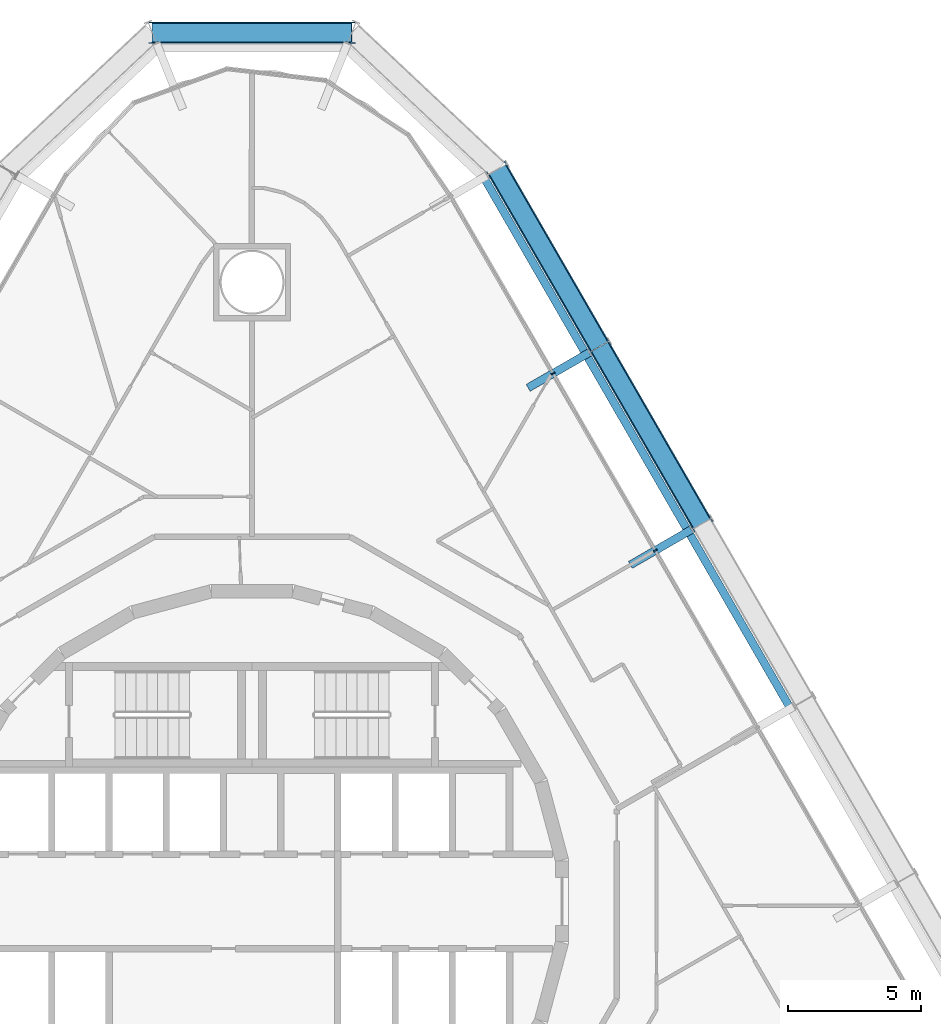
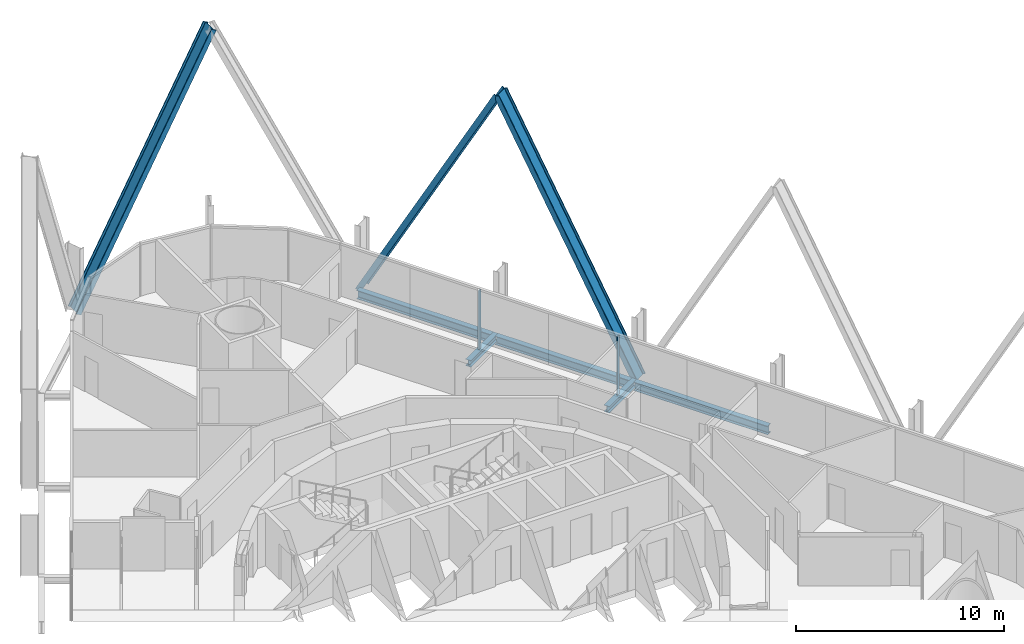
# One storey, part 11 of 21: 5 beams, 5 members, 1 element without a shape of its own.
"""IFC4 building model written with IfcOpenShell, lengths in metres."""

from ifc_helpers import new_model, si_unit, direction, frame, origin, origin_2d, place, context, subcontext, project, spatial, rectangle, i_section, extrude, material, layer, layer_set, material_profile, profile_set, type_object, element, aggregate, save


model = new_model("IFC4")

# Units and contexts
model_context = context("Model", 3, precision=1e-05, world=origin(), true_north=direction((0.0, 1.0)))
body_context = subcontext(model_context, "Body", "Model", "MODEL_VIEW")
ifc_project = project(units=[si_unit("LENGTHUNIT", "METRE"), si_unit("AREAUNIT", "SQUARE_METRE"), si_unit("VOLUMEUNIT", "CUBIC_METRE"), si_unit("PLANEANGLEUNIT", "RADIAN"), si_unit("MASSUNIT", "GRAM", prefix="KILO")], contexts=[model_context])

# Site, building, storey
site_placement = place(None, origin())
site = spatial("IfcSite", under=ifc_project, at=site_placement, CompositionType="ELEMENT")
building_placement = place(site_placement, origin())
building = spatial("IfcBuilding", under=site, at=building_placement, Name="Spindle Arch Residences", CompositionType="ELEMENT")
storey_placement = place(building_placement, frame((0.0, 0.0, 38.39990234375)))
storey = spatial("IfcBuildingStorey", under=building, at=storey_placement, Name="L07", CompositionType="ELEMENT", Elevation=38.39990234375)

# Curtain wall, members
ifc_material_1 = material(Name="Aluminium bronze unitised frame with tinted glass", Category="aluminium")
ifc_layer = layer(ifc_material_1, 0.159912109375)
ifc_layer_set = layer_set([ifc_layer], Name="CW-C typical residential unitised wall")
curtain_wall_type = type_object("IfcCurtainWallType", Name="CW-C typical residential unitised wall", PredefinedType="NOTDEFINED", material=ifc_layer_set)
curtain_wall_placement = place(storey_placement, origin())
curtain_wall = element("IfcCurtainWall", 1, at=curtain_wall_placement, inside=storey, type_object=curtain_wall_type, Name="CW-C L07 run 2", PredefinedType="NOTDEFINED")
ifc_material_2 = material(Name="Aluminium bronze anodised mullion", Category="aluminium")
ifc_material_profile_1 = material_profile(ifc_material_2, rectangle(XDim=0.159912109375, YDim=0.06005859375, at=origin_2d()), Name="MU 60x160")
ifc_profile_set_1 = profile_set([ifc_material_profile_1], Name="Aluminium bronze anodised mullion")
member_type_1 = type_object("IfcMemberType", Name="Bronze mullion 60x160", PredefinedType="MULLION", material=ifc_profile_set_1)
member_1_placement = place(storey_placement, frame((15.149169921875, 13.180419921875, -0.449951171875), z_axis=(0.0, 0.0, 1.0), x_axis=(-0.866025403784, -0.5, 0.0)))
member_1 = element("IfcMember", 2, at=member_1_placement, type_object=member_type_1, Name="CW-C mullion 08", PredefinedType="MULLION", context=body_context, shape_type="SweptSolid", body=[
    extrude(rectangle(XDim=0.159912109375, YDim=0.06005859375, at=origin_2d()), origin(), (0.0, 0.0, 1.0), 3.449951171875),
])
member_2_placement = place(storey_placement, frame((11.309326171875, 19.83154296875, -0.449951171875), z_axis=(0.0, 0.0, 1.0), x_axis=(-0.866025403784, -0.5, 0.0)))
member_2 = element("IfcMember", 3, at=member_2_placement, type_object=member_type_1, Name="CW-C mullion 09", PredefinedType="MULLION", context=body_context, shape_type="SweptSolid", body=[
    extrude(rectangle(XDim=0.159912109375, YDim=0.06005859375, at=origin_2d()), origin(), (0.0, 0.0, 1.0), 3.449951171875),
])
aggregate(curtain_wall, [member_1, member_2])

# Members
ifc_material_3 = material(Name="Steel S460ML, intumescent coating R 240", Category="steel")
ifc_material_profile_2 = material_profile(ifc_material_3, i_section(OverallWidth=0.302978515625, OverallDepth=0.81396484375, WebThickness=0.02099609375, FlangeThickness=0.0400390625, FilletRadius=0.030029296875, at=origin_2d()), Name="HEM 800")
ifc_profile_set_2 = profile_set([ifc_material_profile_2], Name="Steel S460ML, intumescent coating R 240")
member_type_2 = type_object("IfcMemberType", Name="Diagrid diagonal HEM 800", PredefinedType="BRACE", material=ifc_profile_set_2)
for number, where, z_axis, x_axis, name in (
    (4, (16.898681640625, 14.1904296875, -0.699951171875), (-0.239559642081, 0.414938196253, 0.877745675681), (0.438865916794, -0.760154049027, 0.479126840016), "Diagrid diagonal 1.1.9"),
    (5, (9.218505859375, 27.492919921875, -0.699951171875), (0.239561156011, -0.414925587972, 0.877751222714), (-0.438880772287, 0.760151877386, 0.47911667788), "Diagrid diagonal 1.1.10"),
):
    element("IfcMember", number, at=place(storey_placement, frame(where, z_axis=z_axis, x_axis=x_axis)), inside=storey, type_object=member_type_2, Name=name, PredefinedType="BRACE", context=body_context, shape_type="SweptSolid", body=[
        extrude(i_section(OverallWidth=0.302978515625, OverallDepth=0.81396484375, WebThickness=0.02099609375, FlangeThickness=0.0400390625, FilletRadius=0.030029296875, at=origin_2d()), origin(), (0.0, 0.0, 1.0), 16.02978515625),
    ])
member_3_placement = place(storey_placement, frame((-3.748291015625, 32.638671875, -0.699951171875), z_axis=(0.470224162382, 0.0, 0.882547016942), x_axis=(-0.882547016942, 0.0, 0.470224162382)))
element("IfcMember", 6, at=member_3_placement, inside=storey, type_object=member_type_2, Name="Diagrid diagonal 1.1.12", PredefinedType="BRACE", context=body_context, shape_type="SweptSolid", body=[
    extrude(i_section(OverallWidth=0.302978515625, OverallDepth=0.81396484375, WebThickness=0.02099609375, FlangeThickness=0.0400390625, FilletRadius=0.030029296875, at=origin_2d()), origin(), (0.0, 0.0, 1.0), 15.942626953125),
])

# Beams
ifc_material_4 = material(Name="Steel S460ML, intumescent coating R 120", Category="steel")
ifc_material_profile_3 = material_profile(ifc_material_4, i_section(OverallWidth=0.300048828125, OverallDepth=0.5, WebThickness=0.014404296875, FlangeThickness=0.028076171875, FilletRadius=0.027099609375, at=origin_2d()), Name="HEB 500")
ifc_profile_set_3 = profile_set([ifc_material_profile_3], Name="Steel S460ML, intumescent coating R 120")
beam_type_1 = type_object("IfcBeamType", Name="Exoskeleton edge beam HEB 500", PredefinedType="BEAM", material=ifc_profile_set_3)
for number, where, z_axis, x_axis, name in (
    (7, (20.165283203125, 7.3583984375, -0.699951171875), (-0.5000139068, 0.866017374541, 0.0), (-0.866017374541, -0.5000139068, 0.0), "Exoskeleton edge beam 8"),
    (8, (16.3251953125, 14.009521484375, -0.699951171875), (-0.49998923004, 0.866031621735, 0.0), (-0.866031621735, -0.49998923004, 0.0), "Exoskeleton edge beam 9"),
):
    element("IfcBeam", number, at=place(storey_placement, frame(where, z_axis=z_axis, x_axis=x_axis)), inside=storey, type_object=beam_type_1, Name=name, PredefinedType="BEAM", context=body_context, shape_type="SweptSolid", body=[
        extrude(i_section(OverallWidth=0.300048828125, OverallDepth=0.5, WebThickness=0.014404296875, FlangeThickness=0.028076171875, FilletRadius=0.027099609375, at=origin_2d()), origin(), (0.0, 0.0, 1.0), 7.420166015625),
    ])
beam_placement = place(storey_placement, frame((12.485107421875, 20.660888671875, -0.699951171875), z_axis=(-0.500003477455, 0.866023396066, 0.0), x_axis=(-0.866023396066, -0.500003477455, 0.0)))
element("IfcBeam", 9, at=beam_placement, inside=storey, type_object=beam_type_1, Name="Exoskeleton edge beam 10", PredefinedType="BEAM", context=body_context, shape_type="SweptSolid", body=[
    extrude(i_section(OverallWidth=0.300048828125, OverallDepth=0.5, WebThickness=0.014404296875, FlangeThickness=0.028076171875, FilletRadius=0.027099609375, at=origin_2d()), origin(), (0.0, 0.0, 1.0), 7.419921875),
])
ifc_material_5 = material(Name="Steel S460ML, intumescent coating R 120", Category="steel")
ifc_material_profile_4 = material_profile(ifc_material_5, i_section(OverallWidth=0.300048828125, OverallDepth=0.389892578125, WebThickness=0.010986328125, FlangeThickness=0.01904296875, FilletRadius=0.027099609375, at=origin_2d()), Name="HEA 400")
ifc_profile_set_4 = profile_set([ifc_material_profile_4], Name="Steel S460ML, intumescent coating R 120")
beam_type_2 = type_object("IfcBeamType", Name="Floor outrigger HEA 400", PredefinedType="BEAM", material=ifc_profile_set_4)
for number, where, z_axis, x_axis, name in (
    (10, (16.5087890625, 13.965576171875, -0.64501953125), (-0.865989200783, -0.500062700197, 0.0), (0.500062700197, -0.865989200783, 0.0), "Floor outrigger 9"),
    (11, (12.6689453125, 20.61669921875, -0.64501953125), (-0.866052124492, -0.499953715521, 0.0), (0.499953715521, -0.866052124492, 0.0), "Floor outrigger 10"),
):
    element("IfcBeam", number, at=place(storey_placement, frame(where, z_axis=z_axis, x_axis=x_axis)), inside=storey, type_object=beam_type_2, Name=name, PredefinedType="BEAM", context=body_context, shape_type="SweptSolid", body=[
        extrude(i_section(OverallWidth=0.300048828125, OverallDepth=0.389892578125, WebThickness=0.010986328125, FlangeThickness=0.01904296875, FilletRadius=0.027099609375, at=origin_2d()), origin(), (0.0, 0.0, 1.0), 2.650146484375),
    ])

save(model, "model.ifc")
